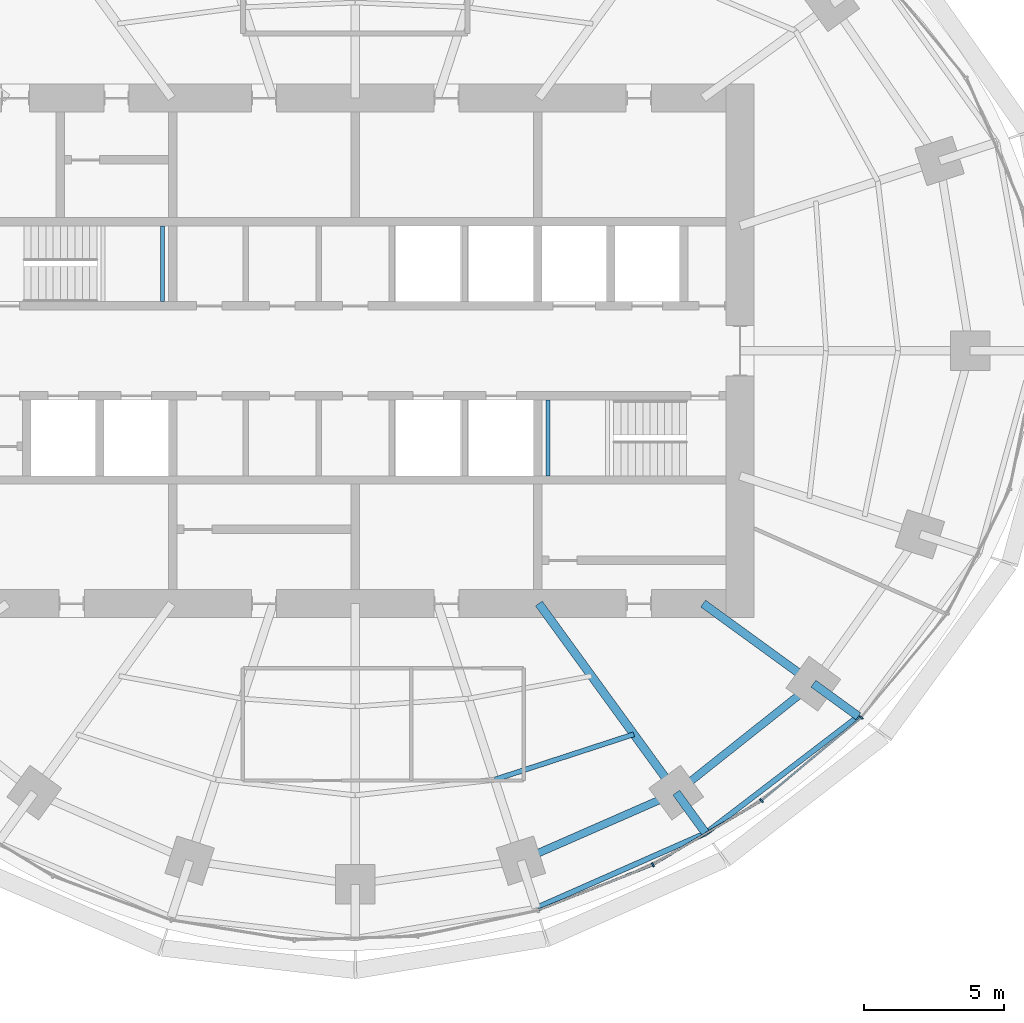
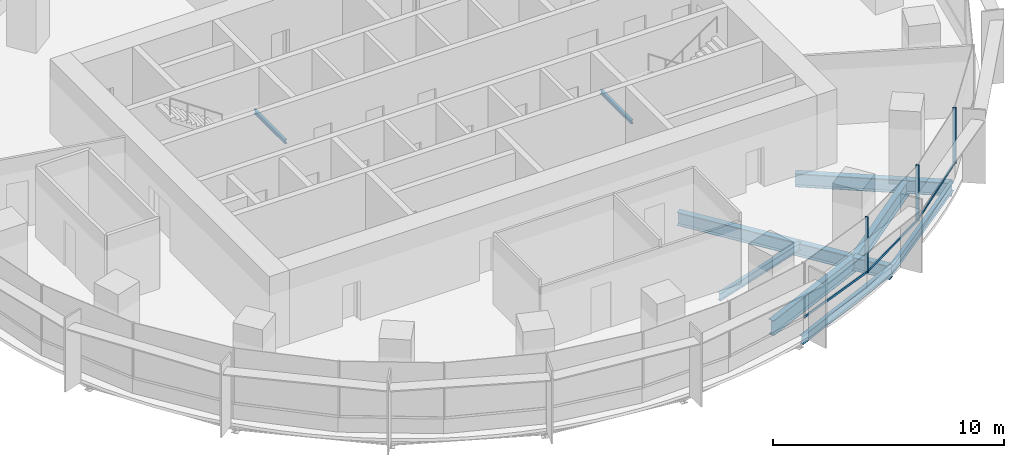
# One storey, part 5 of 14: 11 beams, 6 members, 2 elements without a shape of their own.
"""IFC4 building model written with IfcOpenShell, lengths in metres."""

from ifc_helpers import new_model, si_unit, direction, frame, origin, origin_2d, place, context, subcontext, project, spatial, rectangle, i_section, extrude, material, material_profile, profile_set, type_object, element, aggregate, save


model = new_model("IFC4")

# Units and contexts
model_context = context("Model", 3, precision=1e-05, world=origin(), true_north=direction((0.0, 1.0)))
body_context = subcontext(model_context, "Body", "Model", "MODEL_VIEW")
ifc_project = project(units=[si_unit("LENGTHUNIT", "METRE"), si_unit("AREAUNIT", "SQUARE_METRE"), si_unit("VOLUMEUNIT", "CUBIC_METRE"), si_unit("PLANEANGLEUNIT", "RADIAN"), si_unit("MASSUNIT", "GRAM", prefix="KILO")], contexts=[model_context])

# Site, building, storey
site_placement = place(None, origin())
site = spatial("IfcSite", under=ifc_project, at=site_placement, CompositionType="ELEMENT")
building_placement = place(site_placement, origin())
building = spatial("IfcBuilding", under=site, at=building_placement, Name="Marramba Exchange Tower", CompositionType="ELEMENT")
storey_placement = place(building_placement, frame((0.0, 0.0, 215.0)))
storey = spatial("IfcBuildingStorey", under=building, at=storey_placement, Name="L52", CompositionType="ELEMENT", Elevation=215.0)

# Beams
ifc_material_1 = material(Name="Steel AS/NZS 3679.2 grade 300", Category="steel")
ifc_material_profile_1 = material_profile(ifc_material_1, i_section(OverallWidth=0.300048828125, OverallDepth=0.699951171875, WebThickness=0.010009765625, FlangeThickness=0.031982421875, at=origin_2d()), Name="700WB173")
ifc_profile_set_1 = profile_set([ifc_material_profile_1], Name="Steel AS/NZS 3679.2 grade 300")
beam_type_1 = type_object("IfcBeamType", Name="Cantilever girder 700WB173", PredefinedType="BEAM", material=ifc_profile_set_1)
beam_1_placement = place(storey_placement, frame((11.430419921875, -15.732666015625, -0.510009765625), z_axis=(0.58783009415, -0.808984412959, 0.0), x_axis=(0.808984412959, 0.58783009415, 0.0)))
element("IfcBeam", 1, at=beam_1_placement, inside=storey, type_object=beam_type_1, Name="Cantilever girder L52 TC18", PredefinedType="BEAM", context=body_context, shape_type="SweptSolid", body=[
    extrude(i_section(OverallWidth=0.300048828125, OverallDepth=0.699951171875, WebThickness=0.010009765625, FlangeThickness=0.031982421875, at=origin_2d()), origin(), (0.0, 0.0, 1.0), 1.78515625),
])
beam_2_placement = place(storey_placement, frame((16.3154296875, -11.853759765625, -0.510009765625), z_axis=(0.808970801893, -0.587848825537, 0.0), x_axis=(0.587848825537, 0.808970801893, 0.0)))
element("IfcBeam", 2, at=beam_2_placement, inside=storey, type_object=beam_type_1, Name="Cantilever girder L52 TC19", PredefinedType="BEAM", context=body_context, shape_type="SweptSolid", body=[
    extrude(i_section(OverallWidth=0.300048828125, OverallDepth=0.699951171875, WebThickness=0.010009765625, FlangeThickness=0.031982421875, at=origin_2d()), origin(), (0.0, 0.0, 1.0), 1.978515625),
])
ifc_material_2 = material(Name="Steel AS/NZS 3679.1 grade 300", Category="steel")
ifc_material_profile_2 = material_profile(ifc_material_2, i_section(OverallWidth=0.177978515625, OverallDepth=0.406005859375, WebThickness=0.0078125, FlangeThickness=0.0126953125, FilletRadius=0.011474609375, at=origin_2d()), Name="410UB59.7")
ifc_profile_set_2 = profile_set([ifc_material_profile_2], Name="Steel AS/NZS 3679.1 grade 300")
beam_type_2 = type_object("IfcBeamType", Name="Floor joist 410UB59.7", PredefinedType="JOIST", material=ifc_profile_set_2)
beam_3_placement = place(storey_placement, frame((4.9619140625, -15.271484375, -0.363037109375), z_axis=(0.950764024931, 0.309915744834, 0.0), x_axis=(-0.309915744834, 0.950764024931, 0.0)))
element("IfcBeam", 3, at=beam_3_placement, inside=storey, type_object=beam_type_2, Name="Joist L52 bay 17 row 2", PredefinedType="JOIST", context=body_context, shape_type="SweptSolid", body=[
    extrude(i_section(OverallWidth=0.177978515625, OverallDepth=0.406005859375, WebThickness=0.0078125, FlangeThickness=0.0126953125, FilletRadius=0.011474609375, at=origin_2d()), origin(), (0.0, 0.0, 1.0), 5.2158203125),
])

# Curtain wall, members
ifc_material_3 = material(Name="Aluminium framing, bronze anodised", Category="aluminium")
curtain_wall_type = type_object("IfcCurtainWallType", Name="Office ribbon curtain wall", PredefinedType="USERDEFINED", material=ifc_material_3)
curtain_wall_1_placement = place(storey_placement, origin())
curtain_wall_1 = element("IfcCurtainWall", 4, at=curtain_wall_1_placement, inside=storey, type_object=curtain_wall_type, Name="Curtain wall CW4 L52 F26-F30", ObjectType="RIBBON CURTAIN WALL", PredefinedType="USERDEFINED")
ifc_material_4 = material(Name="Aluminium mullion, bronze anodised", Category="aluminium")
ifc_material_profile_3 = material_profile(ifc_material_4, rectangle(XDim=0.159912109375, YDim=0.06005859375, at=origin_2d()), Name="CW4 mullion 60x160")
ifc_profile_set_3 = profile_set([ifc_material_profile_3], Name="Aluminium mullion, bronze anodised")
member_type_1 = type_object("IfcMemberType", Name="Office ribbon curtain wall mullion", PredefinedType="MULLION", material=ifc_profile_set_3)
member_1_placement = place(storey_placement, frame((10.60009765625, -18.2998046875, 0.800048828125), z_axis=(0.0, 0.0, 1.0), x_axis=(-0.508010571686, 0.861350833897, 0.0)))
member_1 = element("IfcMember", 5, at=member_1_placement, type_object=member_type_1, Name="CW4 mullion 1", PredefinedType="MULLION", context=body_context, shape_type="SweptSolid", body=[
    extrude(rectangle(XDim=0.159912109375, YDim=0.06005859375, at=origin_2d()), origin(), (0.0, 0.0, 1.0), 2.93994140625),
])
member_2_placement = place(storey_placement, frame((14.461669921875, -16.0166015625, 0.800048828125), z_axis=(0.0, 0.0, 1.0), x_axis=(-0.639565270127, 0.768736798421, 0.0)))
member_2 = element("IfcMember", 6, at=member_2_placement, type_object=member_type_1, Name="CW4 mullion 1", PredefinedType="MULLION", context=body_context, shape_type="SweptSolid", body=[
    extrude(rectangle(XDim=0.159912109375, YDim=0.06005859375, at=origin_2d()), origin(), (0.0, 0.0, 1.0), 2.93994140625),
])
member_3_placement = place(storey_placement, frame((18.01611328125, -13.052490234375, 0.800048828125), z_axis=(0.0, 0.0, 1.0), x_axis=(-0.769912069289, 0.63814998673, 0.0)))
member_3 = element("IfcMember", 7, at=member_3_placement, type_object=member_type_1, Name="CW4 mullion 1", PredefinedType="MULLION", context=body_context, shape_type="SweptSolid", body=[
    extrude(rectangle(XDim=0.159912109375, YDim=0.06005859375, at=origin_2d()), origin(), (0.0, 0.0, 1.0), 2.93994140625),
])

# Curtain wall, member
curtain_wall_2_placement = place(storey_placement, origin())
curtain_wall_2 = element("IfcCurtainWall", 8, at=curtain_wall_2_placement, inside=storey, type_object=curtain_wall_type, Name="Curtain wall CW4 L52 F21-F25", ObjectType="RIBBON CURTAIN WALL", PredefinedType="USERDEFINED")
ifc_material_5 = material(Name="Aluminium transom, bronze anodised", Category="aluminium")
ifc_material_profile_4 = material_profile(ifc_material_5, rectangle(XDim=0.06005859375, YDim=0.1201171875, at=origin_2d()), Name="CW4 transom 60x120")
ifc_profile_set_4 = profile_set([ifc_material_profile_4], Name="Aluminium transom, bronze anodised")
member_type_2 = type_object("IfcMemberType", Name="Office ribbon curtain wall transom", PredefinedType="USERDEFINED", material=ifc_profile_set_4)
member_4_placement = place(storey_placement, frame((6.53271484375, -19.911376953125, 0.830078125), z_axis=(0.930068344217, 0.367386547229, 0.0), x_axis=(-0.367386547229, 0.930068344217, 0.0)))
member_4 = element("IfcMember", 9, at=member_4_placement, type_object=member_type_2, Name="CW4 sill transom", ObjectType="TRANSOM", PredefinedType="USERDEFINED", context=body_context, shape_type="SweptSolid", body=[
    extrude(rectangle(XDim=0.06005859375, YDim=0.1201171875, at=origin_2d()), origin(), (0.0, 0.0, 1.0), 4.345458984375),
])
aggregate(curtain_wall_2, [member_4])

# Member
member_5_placement = place(storey_placement, frame((10.6259765625, -18.28466796875, 0.830078125), z_axis=(0.861342387959, 0.508024891816, 0.0), x_axis=(-0.508024891816, 0.861342387959, 0.0)))
member_5 = element("IfcMember", 10, at=member_5_placement, type_object=member_type_2, Name="CW4 sill transom", ObjectType="TRANSOM", PredefinedType="USERDEFINED", context=body_context, shape_type="SweptSolid", body=[
    extrude(rectangle(XDim=0.06005859375, YDim=0.1201171875, at=origin_2d()), origin(), (0.0, 0.0, 1.0), 4.426513671875),
])

member_6_placement = place(storey_placement, frame((14.48486328125, -15.99755859375, 0.830078125), z_axis=(0.768707257272, 0.639600775967, 0.0), x_axis=(-0.639600775967, 0.768707257272, 0.0)))
member_6 = element("IfcMember", 11, at=member_6_placement, type_object=member_type_2, Name="CW4 sill transom", ObjectType="TRANSOM", PredefinedType="USERDEFINED", context=body_context, shape_type="SweptSolid", body=[
    extrude(rectangle(XDim=0.06005859375, YDim=0.1201171875, at=origin_2d()), origin(), (0.0, 0.0, 1.0), 4.568603515625),
])

aggregate(curtain_wall_1, [member_1, member_5, member_2, member_6, member_3])

# Beams
ifc_material_profile_5 = material_profile(ifc_material_1, i_section(OverallWidth=0.300048828125, OverallDepth=0.699951171875, WebThickness=0.010009765625, FlangeThickness=0.031982421875, at=origin_2d()), Name="700WB173")
ifc_profile_set_5 = profile_set([ifc_material_profile_5], Name="Steel AS/NZS 3679.2 grade 300")
beam_type_3 = type_object("IfcBeamType", Name="Radial girder 700WB173", PredefinedType="BEAM", material=ifc_profile_set_5)
beam_4_placement = place(storey_placement, frame((6.538818359375, -9.0, -0.510009765625), z_axis=(0.587787877172, -0.809015087282, 0.0), x_axis=(0.809015087282, 0.587787877172, 0.0)))
element("IfcBeam", 12, at=beam_4_placement, inside=storey, type_object=beam_type_3, Name="Radial girder L52 TC18", PredefinedType="BEAM", context=body_context, shape_type="SweptSolid", body=[
    extrude(i_section(OverallWidth=0.300048828125, OverallDepth=0.699951171875, WebThickness=0.010009765625, FlangeThickness=0.031982421875, at=origin_2d()), origin(), (0.0, 0.0, 1.0), 8.322021484375),
])
beam_5_placement = place(storey_placement, frame((12.387451171875, -9.0, -0.510009765625), z_axis=(0.809025189606, -0.58777397236, 0.0), x_axis=(0.58777397236, 0.809025189606, 0.0)))
element("IfcBeam", 13, at=beam_5_placement, inside=storey, type_object=beam_type_3, Name="Radial girder L52 TC19", PredefinedType="BEAM", context=body_context, shape_type="SweptSolid", body=[
    extrude(i_section(OverallWidth=0.300048828125, OverallDepth=0.699951171875, WebThickness=0.010009765625, FlangeThickness=0.031982421875, at=origin_2d()), origin(), (0.0, 0.0, 1.0), 4.855224609375),
])
ifc_material_profile_6 = material_profile(ifc_material_1, i_section(OverallWidth=0.27490234375, OverallDepth=0.800048828125, WebThickness=0.010009765625, FlangeThickness=0.02490234375, at=origin_2d()), Name="800WB168")
ifc_profile_set_6 = profile_set([ifc_material_profile_6], Name="Steel AS/NZS 3679.2 grade 300")
beam_type_4 = type_object("IfcBeamType", Name="Ring beam 800WB168", PredefinedType="SPANDREL", material=ifc_profile_set_6)
beam_6_placement = place(storey_placement, frame((5.899658203125, -18.156982421875, -0.56005859375), z_axis=(0.915876892158, 0.4014592363, 0.0), x_axis=(-0.4014592363, 0.915876892158, 0.0)))
element("IfcBeam", 14, at=beam_6_placement, inside=storey, type_object=beam_type_4, Name="Ring beam L52 TC17-TC18", PredefinedType="SPANDREL", context=body_context, shape_type="SweptSolid", body=[
    extrude(i_section(OverallWidth=0.27490234375, OverallDepth=0.800048828125, WebThickness=0.010009765625, FlangeThickness=0.02490234375, at=origin_2d()), origin(), (0.0, 0.0, 1.0), 6.038818359375),
])
beam_7_placement = place(storey_placement, frame((11.430419921875, -15.732666015625, -0.56005859375), z_axis=(0.783139438128, 0.621846138887, 0.0), x_axis=(-0.621846138887, 0.783139438128, 0.0)))
element("IfcBeam", 15, at=beam_7_placement, inside=storey, type_object=beam_type_4, Name="Ring beam L52 TC18-TC19", PredefinedType="SPANDREL", context=body_context, shape_type="SweptSolid", body=[
    extrude(i_section(OverallWidth=0.27490234375, OverallDepth=0.800048828125, WebThickness=0.010009765625, FlangeThickness=0.02490234375, at=origin_2d()), origin(), (0.0, 0.0, 1.0), 6.23779296875),
])
ifc_material_profile_7 = material_profile(ifc_material_2, i_section(OverallWidth=0.19091796875, OverallDepth=0.4599609375, WebThickness=0.010009765625, FlangeThickness=0.01611328125, FilletRadius=0.011474609375, at=origin_2d()), Name="460UB82.1")
ifc_profile_set_7 = profile_set([ifc_material_profile_7], Name="Steel AS/NZS 3679.1 grade 300")
beam_type_5 = type_object("IfcBeamType", Name="Slab edge beam 460UB82.1", PredefinedType="SPANDREL", material=ifc_profile_set_7)
beam_8_placement = place(storey_placement, frame((6.44580078125, -19.83837890625, -0.389892578125), z_axis=(0.914940719579, 0.403588255102, 0.0), x_axis=(-0.403588255102, 0.914940719579, 0.0)))
element("IfcBeam", 16, at=beam_8_placement, inside=storey, type_object=beam_type_5, Name="Slab edge beam L52 TC17-TC18", PredefinedType="SPANDREL", context=body_context, shape_type="SweptSolid", body=[
    extrude(i_section(OverallWidth=0.19091796875, OverallDepth=0.4599609375, WebThickness=0.010009765625, FlangeThickness=0.01611328125, FilletRadius=0.011474609375, at=origin_2d()), origin(), (0.0, 0.0, 1.0), 6.594970703125),
])
beam_9_placement = place(storey_placement, frame((12.479736328125, -17.1767578125, -0.389892578125), z_axis=(0.794163423189, 0.607704251481, 0.0), x_axis=(-0.607704251481, 0.794163423189, 0.0)))
element("IfcBeam", 17, at=beam_9_placement, inside=storey, type_object=beam_type_5, Name="Slab edge beam L52 TC18-TC19", PredefinedType="SPANDREL", context=body_context, shape_type="SweptSolid", body=[
    extrude(i_section(OverallWidth=0.19091796875, OverallDepth=0.4599609375, WebThickness=0.010009765625, FlangeThickness=0.01611328125, FilletRadius=0.011474609375, at=origin_2d()), origin(), (0.0, 0.0, 1.0), 6.84521484375),
])
ifc_material_profile_8 = material_profile(ifc_material_2, i_section(OverallWidth=0.133056640625, OverallDepth=0.202880859375, WebThickness=0.005859375, FlangeThickness=0.0078125, FilletRadius=0.0087890625, at=origin_2d()), Name="200UB25.4")
ifc_profile_set_8 = profile_set([ifc_material_profile_8], Name="Steel AS/NZS 3679.1 grade 300")
beam_type_6 = type_object("IfcBeamType", Name="Stair landing beam 200UB25.4", PredefinedType="BEAM", material=ifc_profile_set_8)
for number, where, z_axis, x_axis, name in (
    (18, (-6.866455078125, 1.75, 1.6484375), (0.0, 1.0, 0.0), (-1.0, 0.0, 0.0), "Stair landing beam SLB1 ST1 L52 2"),
    (19, (6.866455078125, -4.449951171875, 1.6484375), (0.0, 1.0, 0.0), (-1.0, 0.0, 0.0), "Stair landing beam SLB1 ST2 L52 1"),
):
    element("IfcBeam", number, at=place(storey_placement, frame(where, z_axis=z_axis, x_axis=x_axis)), inside=storey, type_object=beam_type_6, Name=name, PredefinedType="BEAM", context=body_context, shape_type="SweptSolid", body=[
        extrude(i_section(OverallWidth=0.133056640625, OverallDepth=0.202880859375, WebThickness=0.005859375, FlangeThickness=0.0078125, FilletRadius=0.0087890625, at=origin_2d()), origin(), (0.0, 0.0, 1.0), 2.699951171875),
    ])

save(model, "model.ifc")
